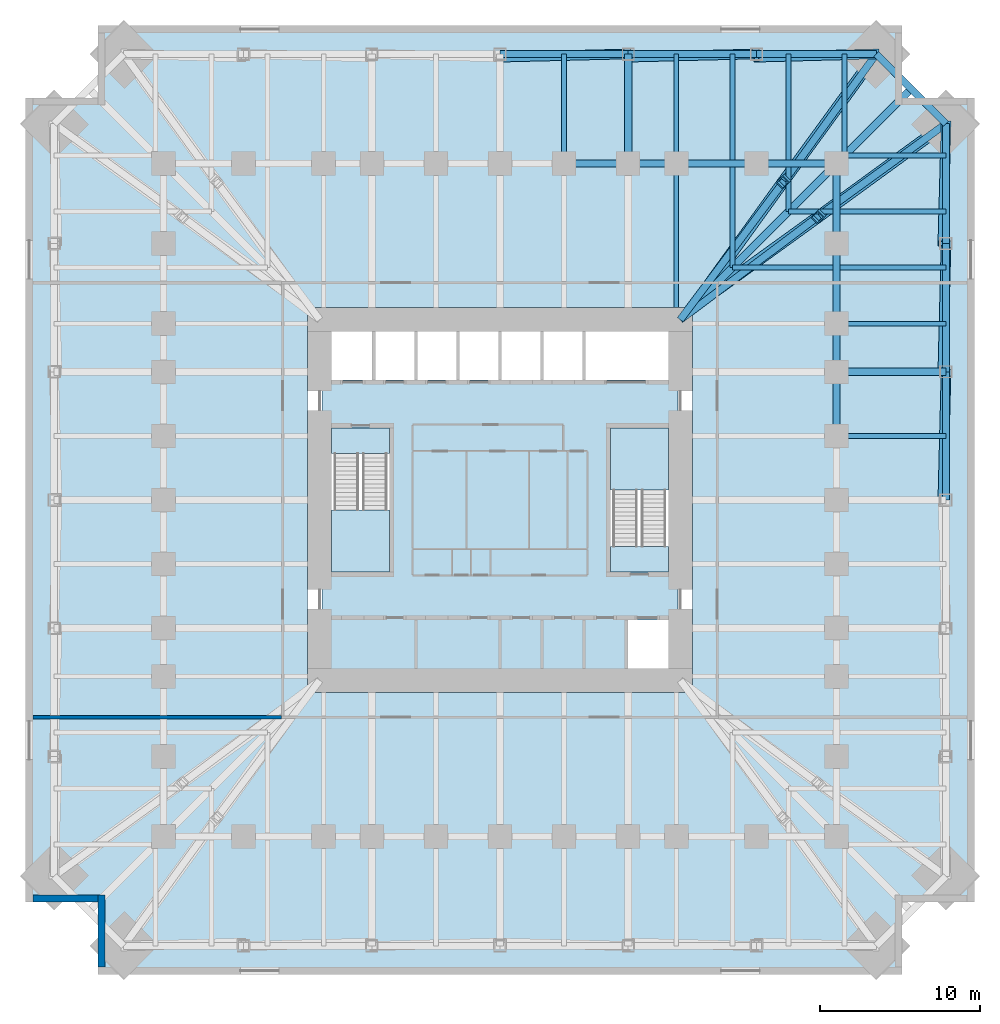
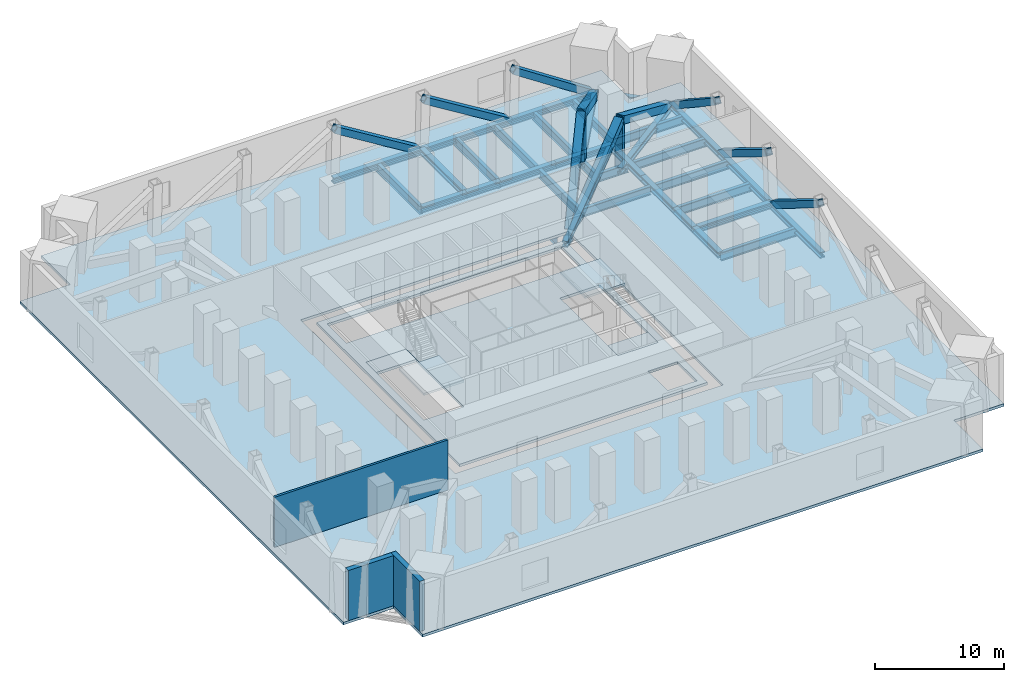
# One storey, part 4 of 9: 28 beams, 22 members, 6 slabs, 3 walls, 2 elements without a shape of their own.
"""IFC4 building model written with IfcOpenShell, lengths in metres."""

from ifc_helpers import new_model, si_unit, direction, frame, frame_2d, origin, origin_2d, place, context, subcontext, project, spatial, polyline, rectangle, hollow_rectangle, i_section, outline, extrude, material, layer, layer_set, material_profile, profile_set, type_object, element, aggregate, save


model = new_model("IFC4")

# Units and contexts
model_context = context("Model", 3, precision=1e-05, world=origin(), true_north=direction((0.0, 1.0)))
body_context = subcontext(model_context, "Body", "Model", "MODEL_VIEW")
ifc_project = project(units=[si_unit("LENGTHUNIT", "METRE"), si_unit("AREAUNIT", "SQUARE_METRE"), si_unit("VOLUMEUNIT", "CUBIC_METRE"), si_unit("PLANEANGLEUNIT", "RADIAN"), si_unit("MASSUNIT", "GRAM", prefix="KILO")], contexts=[model_context])

# Site, building, storey
site_placement = place(None, origin())
site = spatial("IfcSite", under=ifc_project, at=site_placement, CompositionType="ELEMENT")
building_placement = place(site_placement, origin())
building = spatial("IfcBuilding", under=site, at=building_placement, Name="Peilmerk Tower", CompositionType="ELEMENT")
storey_placement = place(building_placement, frame((0.0, 0.0, 76.0)))
storey = spatial("IfcBuildingStorey", under=building, at=storey_placement, Name="L14", CompositionType="ELEMENT", Elevation=76.0)

# Beams
ifc_material_1 = material(Name="Steel S460", Category="steel")
ifc_material_profile_1 = material_profile(ifc_material_1, i_section(OverallWidth=0.4541015625, OverallDepth=0.569091796875, WebThickness=0.077880859375, FlangeThickness=0.125, at=origin_2d()), Name="HD 400x1086")
ifc_profile_set_1 = profile_set([ifc_material_profile_1], Name="Steel S460")
beam_type_1 = type_object("IfcBeamType", Name="B17 HD 400x1086 edge beam", PredefinedType="SPANDREL", material=ifc_profile_set_1)
beam_1_placement = place(storey_placement, frame((23.482177734375, 27.832275390625, -0.534423828125), z_axis=(0.707106781187, -0.707106781187, 0.0), x_axis=(0.707106781187, 0.707106781187, 0.0)))
element("IfcBeam", 1, at=beam_1_placement, inside=storey, type_object=beam_type_1, Name="Notch beam L14", PredefinedType="SPANDREL", context=body_context, shape_type="SweptSolid", body=[
    extrude(i_section(OverallWidth=0.4541015625, OverallDepth=0.569091796875, WebThickness=0.077880859375, FlangeThickness=0.125, at=origin_2d()), origin(), (0.0, 0.0, 1.0), 6.15185546875),
])
ifc_material_profile_2 = material_profile(ifc_material_1, i_section(OverallWidth=0.302978515625, OverallDepth=0.81396484375, WebThickness=0.02099609375, FlangeThickness=0.0400390625, at=origin_2d()), Name="HEM 800")
ifc_profile_set_2 = profile_set([ifc_material_profile_2], Name="Steel S460")
beam_type_2 = type_object("IfcBeamType", Name="B26 HEM 800 floor beam", PredefinedType="BEAM", material=ifc_profile_set_2)
beam_2_placement = place(storey_placement, frame((11.0, 12.0, -0.656982421875), z_axis=(0.0, 1.0, 0.0), x_axis=(-1.0, 0.0, 0.0)))
element("IfcBeam", 2, at=beam_2_placement, inside=storey, type_object=beam_type_2, Name="Floor beam L14", PredefinedType="BEAM", context=body_context, shape_type="SweptSolid", body=[
    extrude(i_section(OverallWidth=0.302978515625, OverallDepth=0.81396484375, WebThickness=0.02099609375, FlangeThickness=0.0400390625, at=origin_2d()), origin(), (0.0, 0.0, 1.0), 9.0),
])
for number, where, z_axis, x_axis, name in (
    (3, (11.0, 21.0, -0.656982421875), (0.0, 1.0, 0.0), (-1.0, 0.0, 0.0), "Floor beam L14"),
    (4, (4.0, 21.0, -0.656982421875), (0.0, 1.0, 0.0), (-1.0, 0.0, 0.0), "Floor beam L14"),
    (5, (21.0, 4.0, -0.656982421875), (1.0, 0.0, 0.0), (0.0, 1.0, 0.0), "Floor beam L14"),
    (6, (21.0, 11.0, -0.656982421875), (1.0, 0.0, 0.0), (0.0, 1.0, 0.0), "Floor beam L14"),
):
    element("IfcBeam", number, at=place(storey_placement, frame(where, z_axis=z_axis, x_axis=x_axis)), inside=storey, type_object=beam_type_2, Name=name, PredefinedType="BEAM", context=body_context, shape_type="SweptSolid", body=[
        extrude(i_section(OverallWidth=0.302978515625, OverallDepth=0.81396484375, WebThickness=0.02099609375, FlangeThickness=0.0400390625, at=origin_2d()), origin(), (0.0, 0.0, 1.0), 6.832275390625),
    ])
beam_3_placement = place(storey_placement, frame((14.5, 14.5, -0.656982421875), z_axis=(0.0, 1.0, 0.0), x_axis=(-1.0, 0.0, 0.0)))
element("IfcBeam", 7, at=beam_3_placement, inside=storey, type_object=beam_type_2, Name="Floor beam L14", PredefinedType="BEAM", context=body_context, shape_type="SweptSolid", body=[
    extrude(i_section(OverallWidth=0.302978515625, OverallDepth=0.81396484375, WebThickness=0.02099609375, FlangeThickness=0.0400390625, at=origin_2d()), origin(), (0.0, 0.0, 1.0), 6.27294921875),
])
beam_4_placement = place(storey_placement, frame((14.5, 21.22705078125, -0.656982421875), z_axis=(0.0, 1.0, 0.0), x_axis=(-1.0, 0.0, 0.0)))
element("IfcBeam", 8, at=beam_4_placement, inside=storey, type_object=beam_type_2, Name="Floor beam L14", PredefinedType="BEAM", context=body_context, shape_type="SweptSolid", body=[
    extrude(i_section(OverallWidth=0.302978515625, OverallDepth=0.81396484375, WebThickness=0.02099609375, FlangeThickness=0.0400390625, at=origin_2d()), origin(), (0.0, 0.0, 1.0), 6.605224609375),
])
beam_5_placement = place(storey_placement, frame((14.5, 14.5, -0.656982421875), z_axis=(1.0, 0.0, 0.0), x_axis=(0.0, 1.0, 0.0)))
element("IfcBeam", 9, at=beam_5_placement, inside=storey, type_object=beam_type_2, Name="Floor beam L14", PredefinedType="BEAM", context=body_context, shape_type="SweptSolid", body=[
    extrude(i_section(OverallWidth=0.302978515625, OverallDepth=0.81396484375, WebThickness=0.02099609375, FlangeThickness=0.0400390625, at=origin_2d()), origin(), (0.0, 0.0, 1.0), 6.27294921875),
])
beam_6_placement = place(storey_placement, frame((21.22705078125, 14.5, -0.656982421875), z_axis=(1.0, 0.0, 0.0), x_axis=(0.0, 1.0, 0.0)))
element("IfcBeam", 10, at=beam_6_placement, inside=storey, type_object=beam_type_2, Name="Floor beam L14", PredefinedType="BEAM", context=body_context, shape_type="SweptSolid", body=[
    extrude(i_section(OverallWidth=0.302978515625, OverallDepth=0.81396484375, WebThickness=0.02099609375, FlangeThickness=0.0400390625, at=origin_2d()), origin(), (0.0, 0.0, 1.0), 6.605224609375),
])
beam_7_placement = place(storey_placement, frame((18.0, 18.0, -0.656982421875), z_axis=(0.0, 1.0, 0.0), x_axis=(-1.0, 0.0, 0.0)))
element("IfcBeam", 11, at=beam_7_placement, inside=storey, type_object=beam_type_2, Name="Floor beam L14", PredefinedType="BEAM", context=body_context, shape_type="SweptSolid", body=[
    extrude(i_section(OverallWidth=0.302978515625, OverallDepth=0.81396484375, WebThickness=0.02099609375, FlangeThickness=0.0400390625, at=origin_2d()), origin(), (0.0, 0.0, 1.0), 2.77294921875),
])
beam_8_placement = place(storey_placement, frame((18.0, 21.22705078125, -0.656982421875), z_axis=(0.0, 1.0, 0.0), x_axis=(-1.0, 0.0, 0.0)))
element("IfcBeam", 12, at=beam_8_placement, inside=storey, type_object=beam_type_2, Name="Floor beam L14", PredefinedType="BEAM", context=body_context, shape_type="SweptSolid", body=[
    extrude(i_section(OverallWidth=0.302978515625, OverallDepth=0.81396484375, WebThickness=0.02099609375, FlangeThickness=0.0400390625, at=origin_2d()), origin(), (0.0, 0.0, 1.0), 6.605224609375),
])
beam_9_placement = place(storey_placement, frame((18.0, 18.0, -0.656982421875), z_axis=(1.0, 0.0, 0.0), x_axis=(0.0, 1.0, 0.0)))
element("IfcBeam", 13, at=beam_9_placement, inside=storey, type_object=beam_type_2, Name="Floor beam L14", PredefinedType="BEAM", context=body_context, shape_type="SweptSolid", body=[
    extrude(i_section(OverallWidth=0.302978515625, OverallDepth=0.81396484375, WebThickness=0.02099609375, FlangeThickness=0.0400390625, at=origin_2d()), origin(), (0.0, 0.0, 1.0), 2.77294921875),
])
beam_10_placement = place(storey_placement, frame((21.22705078125, 18.0, -0.656982421875), z_axis=(1.0, 0.0, 0.0), x_axis=(0.0, 1.0, 0.0)))
element("IfcBeam", 14, at=beam_10_placement, inside=storey, type_object=beam_type_2, Name="Floor beam L14", PredefinedType="BEAM", context=body_context, shape_type="SweptSolid", body=[
    extrude(i_section(OverallWidth=0.302978515625, OverallDepth=0.81396484375, WebThickness=0.02099609375, FlangeThickness=0.0400390625, at=origin_2d()), origin(), (0.0, 0.0, 1.0), 6.605224609375),
])
for number, where, z_axis, x_axis, name in (
    (15, (21.5, 21.5, -0.656982421875), (0.0, 1.0, 0.0), (-1.0, 0.0, 0.0), "Floor beam L14"),
    (16, (21.5, 21.5, -0.656982421875), (1.0, 0.0, 0.0), (0.0, 1.0, 0.0), "Floor beam L14"),
):
    element("IfcBeam", number, at=place(storey_placement, frame(where, z_axis=z_axis, x_axis=x_axis)), inside=storey, type_object=beam_type_2, Name=name, PredefinedType="BEAM", context=body_context, shape_type="SweptSolid", body=[
        extrude(i_section(OverallWidth=0.302978515625, OverallDepth=0.81396484375, WebThickness=0.02099609375, FlangeThickness=0.0400390625, at=origin_2d()), origin(), (0.0, 0.0, 1.0), 6.332275390625),
    ])
ifc_material_profile_3 = material_profile(ifc_material_1, i_section(OverallWidth=0.4541015625, OverallDepth=0.569091796875, WebThickness=0.077880859375, FlangeThickness=0.125, at=origin_2d()), Name="HD 400x1086")
ifc_profile_set_3 = profile_set([ifc_material_profile_3], Name="Steel S460")
beam_type_3 = type_object("IfcBeamType", Name="B9 HD 400x1086 corner girder", PredefinedType="BEAM", material=ifc_profile_set_3)
beam_11_placement = place(storey_placement, frame((8.0, 21.0, -0.534423828125), z_axis=(0.0, 1.0, 0.0), x_axis=(-1.0, 0.0, 0.0)))
element("IfcBeam", 17, at=beam_11_placement, inside=storey, type_object=beam_type_3, Name="Floor girder L14", PredefinedType="BEAM", context=body_context, shape_type="SweptSolid", body=[
    extrude(i_section(OverallWidth=0.4541015625, OverallDepth=0.569091796875, WebThickness=0.077880859375, FlangeThickness=0.125, at=origin_2d()), origin(), (0.0, 0.0, 1.0), 6.832275390625),
])
for number, where, z_axis, x_axis, name in (
    (18, (21.0, 21.0, -0.534423828125), (-1.0, 0.0, 0.0), (0.0, -1.0, 0.0), "Ring girder L14"),
    (19, (16.0, 21.0, -0.534423828125), (-1.0, 0.0, 0.0), (0.0, -1.0, 0.0), "Ring girder L14"),
):
    element("IfcBeam", number, at=place(storey_placement, frame(where, z_axis=z_axis, x_axis=x_axis)), inside=storey, type_object=beam_type_3, Name=name, PredefinedType="BEAM", context=body_context, shape_type="SweptSolid", body=[
        extrude(i_section(OverallWidth=0.4541015625, OverallDepth=0.569091796875, WebThickness=0.077880859375, FlangeThickness=0.125, at=origin_2d()), origin(), (0.0, 0.0, 1.0), 5.0),
    ])
beam_12_placement = place(storey_placement, frame((11.0, 21.0, -0.534423828125), z_axis=(-1.0, 0.0, 0.0), x_axis=(0.0, -1.0, 0.0)))
element("IfcBeam", 20, at=beam_12_placement, inside=storey, type_object=beam_type_3, Name="Ring girder L14", PredefinedType="BEAM", context=body_context, shape_type="SweptSolid", body=[
    extrude(i_section(OverallWidth=0.4541015625, OverallDepth=0.569091796875, WebThickness=0.077880859375, FlangeThickness=0.125, at=origin_2d()), origin(), (0.0, 0.0, 1.0), 3.0),
])
beam_13_placement = place(storey_placement, frame((8.0, 21.0, -0.534423828125), z_axis=(-1.0, 0.0, 0.0), x_axis=(0.0, -1.0, 0.0)))
element("IfcBeam", 21, at=beam_13_placement, inside=storey, type_object=beam_type_3, Name="Ring girder L14", PredefinedType="BEAM", context=body_context, shape_type="SweptSolid", body=[
    extrude(i_section(OverallWidth=0.4541015625, OverallDepth=0.569091796875, WebThickness=0.077880859375, FlangeThickness=0.125, at=origin_2d()), origin(), (0.0, 0.0, 1.0), 4.0),
])
beam_14_placement = place(storey_placement, frame((21.0, 8.0, -0.534423828125), z_axis=(1.0, 0.0, 0.0), x_axis=(0.0, 1.0, 0.0)))
element("IfcBeam", 22, at=beam_14_placement, inside=storey, type_object=beam_type_3, Name="Floor girder L14", PredefinedType="BEAM", context=body_context, shape_type="SweptSolid", body=[
    extrude(i_section(OverallWidth=0.4541015625, OverallDepth=0.569091796875, WebThickness=0.077880859375, FlangeThickness=0.125, at=origin_2d()), origin(), (0.0, 0.0, 1.0), 6.832275390625),
])
beam_15_placement = place(storey_placement, frame((21.0, 4.0, -0.534423828125), z_axis=(0.0, 1.0, 0.0), x_axis=(-1.0, 0.0, 0.0)))
element("IfcBeam", 23, at=beam_15_placement, inside=storey, type_object=beam_type_3, Name="Ring girder L14", PredefinedType="BEAM", context=body_context, shape_type="SweptSolid", body=[
    extrude(i_section(OverallWidth=0.4541015625, OverallDepth=0.569091796875, WebThickness=0.077880859375, FlangeThickness=0.125, at=origin_2d()), origin(), (0.0, 0.0, 1.0), 4.0),
])
beam_16_placement = place(storey_placement, frame((21.0, 8.0, -0.534423828125), z_axis=(0.0, 1.0, 0.0), x_axis=(-1.0, 0.0, 0.0)))
element("IfcBeam", 24, at=beam_16_placement, inside=storey, type_object=beam_type_3, Name="Ring girder L14", PredefinedType="BEAM", context=body_context, shape_type="SweptSolid", body=[
    extrude(i_section(OverallWidth=0.4541015625, OverallDepth=0.569091796875, WebThickness=0.077880859375, FlangeThickness=0.125, at=origin_2d()), origin(), (0.0, 0.0, 1.0), 3.0),
])
for number, where, z_axis, x_axis, name in (
    (25, (21.0, 11.0, -0.534423828125), (0.0, 1.0, 0.0), (-1.0, 0.0, 0.0), "Ring girder L14"),
    (26, (21.0, 16.0, -0.534423828125), (0.0, 1.0, 0.0), (-1.0, 0.0, 0.0), "Ring girder L14"),
):
    element("IfcBeam", number, at=place(storey_placement, frame(where, z_axis=z_axis, x_axis=x_axis)), inside=storey, type_object=beam_type_3, Name=name, PredefinedType="BEAM", context=body_context, shape_type="SweptSolid", body=[
        extrude(i_section(OverallWidth=0.4541015625, OverallDepth=0.569091796875, WebThickness=0.077880859375, FlangeThickness=0.125, at=origin_2d()), origin(), (0.0, 0.0, 1.0), 5.0),
    ])
beam_17_placement = place(storey_placement, frame((11.25, 11.25, -0.534423828125), z_axis=(0.707106781187, 0.707106781187, 0.0), x_axis=(-0.707106781187, 0.707106781187, 0.0)))
element("IfcBeam", 27, at=beam_17_placement, inside=storey, type_object=beam_type_3, Name="Corner girder L14", PredefinedType="BEAM", context=body_context, shape_type="SweptSolid", body=[
    extrude(i_section(OverallWidth=0.4541015625, OverallDepth=0.569091796875, WebThickness=0.077880859375, FlangeThickness=0.125, at=origin_2d()), origin(), (0.0, 0.0, 1.0), 13.78857421875),
])
beam_18_placement = place(storey_placement, frame((21.0, 21.0, -0.534423828125), z_axis=(0.707106781187, 0.707106781187, 0.0), x_axis=(-0.707106781187, 0.707106781187, 0.0)))
element("IfcBeam", 28, at=beam_18_placement, inside=storey, type_object=beam_type_3, Name="Corner girder L14", PredefinedType="BEAM", context=body_context, shape_type="SweptSolid", body=[
    extrude(i_section(OverallWidth=0.4541015625, OverallDepth=0.569091796875, WebThickness=0.077880859375, FlangeThickness=0.125, at=origin_2d()), origin(), (0.0, 0.0, 1.0), 6.58642578125),
])

# Members
ifc_material_profile_4 = material_profile(ifc_material_1, i_section(OverallWidth=0.4541015625, OverallDepth=0.569091796875, WebThickness=0.077880859375, FlangeThickness=0.125, at=origin_2d()), Name="HD 400x1086")
ifc_profile_set_4 = profile_set([ifc_material_profile_4], Name="Steel S460")
member_type_1 = type_object("IfcMemberType", Name="M1 HD 400x1086 belt truss chord", PredefinedType="CHORD", material=ifc_profile_set_4)
member_1_placement = place(storey_placement, frame((23.482177734375, 27.832275390625, -0.534423828125), z_axis=(-1.0, 0.0, 0.0), x_axis=(0.0, -1.0, 0.0)))
element("IfcMember", 29, at=member_1_placement, inside=storey, type_object=member_type_1, Name="Belt truss chord L14", PredefinedType="CHORD", context=body_context, shape_type="SweptSolid", body=[
    extrude(i_section(OverallWidth=0.4541015625, OverallDepth=0.569091796875, WebThickness=0.077880859375, FlangeThickness=0.125, at=origin_2d()), origin(), (0.0, 0.0, 1.0), 7.482177734375),
])
for number, where, z_axis, x_axis, name in (
    (30, (16.0, 27.832275390625, -0.534423828125), (-1.0, 0.0, 0.0), (0.0, -1.0, 0.0), "Belt truss chord L14"),
    (31, (8.0, 27.832275390625, -0.534423828125), (-1.0, 0.0, 0.0), (0.0, -1.0, 0.0), "Belt truss chord L14"),
    (32, (27.832275390625, 0.0, -0.534423828125), (0.0, 1.0, 0.0), (-1.0, 0.0, 0.0), "Belt truss chord L14"),
    (33, (27.832275390625, 8.0, -0.534423828125), (0.0, 1.0, 0.0), (-1.0, 0.0, 0.0), "Belt truss chord L14"),
):
    element("IfcMember", number, at=place(storey_placement, frame(where, z_axis=z_axis, x_axis=x_axis)), inside=storey, type_object=member_type_1, Name=name, PredefinedType="CHORD", context=body_context, shape_type="SweptSolid", body=[
        extrude(i_section(OverallWidth=0.4541015625, OverallDepth=0.569091796875, WebThickness=0.077880859375, FlangeThickness=0.125, at=origin_2d()), origin(), (0.0, 0.0, 1.0), 8.0),
    ])
member_2_placement = place(storey_placement, frame((27.832275390625, 16.0, -0.534423828125), z_axis=(0.0, 1.0, 0.0), x_axis=(-1.0, 0.0, 0.0)))
element("IfcMember", 34, at=member_2_placement, inside=storey, type_object=member_type_1, Name="Belt truss chord L14", PredefinedType="CHORD", context=body_context, shape_type="SweptSolid", body=[
    extrude(i_section(OverallWidth=0.4541015625, OverallDepth=0.569091796875, WebThickness=0.077880859375, FlangeThickness=0.125, at=origin_2d()), origin(), (0.0, 0.0, 1.0), 7.482177734375),
])
member_3_placement = place(storey_placement, frame((11.25, 11.25, -0.534423828125), z_axis=(0.800367834752, 0.599509240207, 0.0), x_axis=(-0.599509240207, 0.800367834752, 0.0)))
element("IfcMember", 35, at=member_3_placement, inside=storey, type_object=member_type_1, Name="Outrigger chord T1 NE", PredefinedType="CHORD", context=body_context, shape_type="SweptSolid", body=[
    extrude(i_section(OverallWidth=0.4541015625, OverallDepth=0.569091796875, WebThickness=0.077880859375, FlangeThickness=0.125, at=origin_2d()), origin(), (0.0, 0.0, 1.0), 10.82763671875),
])
member_4_placement = place(storey_placement, frame((19.916015625, 17.7412109375, -0.534423828125), z_axis=(0.809528868431, 0.587080072202, 0.0), x_axis=(-0.587080072202, 0.809528868431, 0.0)))
element("IfcMember", 36, at=member_4_placement, inside=storey, type_object=member_type_1, Name="Outrigger chord T1 NE", PredefinedType="CHORD", context=body_context, shape_type="SweptSolid", body=[
    extrude(i_section(OverallWidth=0.4541015625, OverallDepth=0.569091796875, WebThickness=0.077880859375, FlangeThickness=0.125, at=origin_2d()), origin(), (0.0, 0.0, 1.0), 9.77880859375),
])
member_5_placement = place(storey_placement, frame((11.25, 11.25, -0.534423828125), z_axis=(0.599509240207, 0.800367834752, 0.0), x_axis=(-0.800367834752, 0.599509240207, 0.0)))
element("IfcMember", 37, at=member_5_placement, inside=storey, type_object=member_type_1, Name="Outrigger chord T1 NE", PredefinedType="CHORD", context=body_context, shape_type="SweptSolid", body=[
    extrude(i_section(OverallWidth=0.4541015625, OverallDepth=0.569091796875, WebThickness=0.077880859375, FlangeThickness=0.125, at=origin_2d()), origin(), (0.0, 0.0, 1.0), 10.82763671875),
])
member_6_placement = place(storey_placement, frame((17.7412109375, 19.916015625, -0.534423828125), z_axis=(0.587080072202, 0.809528868431, 0.0), x_axis=(-0.809528868431, 0.587080072202, 0.0)))
element("IfcMember", 38, at=member_6_placement, inside=storey, type_object=member_type_1, Name="Outrigger chord T1 NE", PredefinedType="CHORD", context=body_context, shape_type="SweptSolid", body=[
    extrude(i_section(OverallWidth=0.4541015625, OverallDepth=0.569091796875, WebThickness=0.077880859375, FlangeThickness=0.125, at=origin_2d()), origin(), (0.0, 0.0, 1.0), 9.77880859375),
])
ifc_material_profile_5 = material_profile(ifc_material_1, hollow_rectangle(XDim=0.60009765625, YDim=0.60009765625, WallThickness=0.06005859375, at=origin_2d()), Name="BOX 600x600x60")
ifc_profile_set_5 = profile_set([ifc_material_profile_5], Name="Steel S460")
member_type_2 = type_object("IfcMemberType", Name="M2 BOX 600x600x60 belt truss diagonal", PredefinedType="BRACE", material=ifc_profile_set_5)
member_7_placement = place(storey_placement, frame((23.482177734375, 27.832275390625, -0.534423828125), z_axis=(-0.831231738484, -0.02240341358, 0.555474467457), x_axis=(0.026942283238, -0.999636990799, 0.0)))
element("IfcMember", 39, at=member_7_placement, inside=storey, type_object=member_type_2, Name="Belt truss diagonal T1 N", PredefinedType="BRACE", context=body_context, shape_type="SweptSolid", body=[
    extrude(hollow_rectangle(XDim=0.60009765625, YDim=0.60009765625, WallThickness=0.06005859375, at=origin_2d()), origin(), (0.0, 0.0, 1.0), 9.001220703125),
])
for number, where, z_axis, x_axis, name in (
    (40, (16.0, 27.832275390625, -0.534423828125), (-0.847804632209, -0.021371051825, 0.529877895131), (0.025199514677, -0.999682441808, 0.0), "Belt truss diagonal T1 N"),
    (41, (8.0, 27.832275390625, -0.534423828125), (-0.847804632209, -0.021371051825, 0.529877895131), (0.025199514677, -0.999682441808, 0.0), "Belt truss diagonal T1 N"),
    (42, (27.832275390625, 8.0, -0.534423828125), (-0.021371051825, -0.847804632209, 0.529877895131), (0.999682441808, -0.025199514677, 0.0), "Belt truss diagonal T1 E"),
    (43, (27.832275390625, 16.0, -0.534423828125), (-0.021371051825, -0.847804632209, 0.529877895131), (0.999682441808, -0.025199514677, 0.0), "Belt truss diagonal T1 E"),
):
    element("IfcMember", number, at=place(storey_placement, frame(where, z_axis=z_axis, x_axis=x_axis)), inside=storey, type_object=member_type_2, Name=name, PredefinedType="BRACE", context=body_context, shape_type="SweptSolid", body=[
        extrude(hollow_rectangle(XDim=0.60009765625, YDim=0.60009765625, WallThickness=0.06005859375, at=origin_2d()), origin(), (0.0, 0.0, 1.0), 9.43603515625),
    ])
member_8_placement = place(storey_placement, frame((27.832275390625, 23.482177734375, -0.534423828125), z_axis=(-0.02240341358, -0.831231738484, 0.555474467457), x_axis=(0.999636990799, -0.026942283238, 0.0)))
element("IfcMember", 44, at=member_8_placement, inside=storey, type_object=member_type_2, Name="Belt truss diagonal T1 E", PredefinedType="BRACE", context=body_context, shape_type="SweptSolid", body=[
    extrude(hollow_rectangle(XDim=0.60009765625, YDim=0.60009765625, WallThickness=0.06005859375, at=origin_2d()), origin(), (0.0, 0.0, 1.0), 9.001220703125),
])
ifc_material_profile_6 = material_profile(ifc_material_1, hollow_rectangle(XDim=0.60009765625, YDim=0.60009765625, WallThickness=0.06005859375, at=origin_2d()), Name="BOX 600x600x60")
ifc_profile_set_6 = profile_set([ifc_material_profile_6], Name="Steel S460")
member_type_3 = type_object("IfcMemberType", Name="M3 BOX 600x600x60 outrigger post", PredefinedType="POST", material=ifc_profile_set_6)
for number, where, z_axis, x_axis, name in (
    (45, (19.916015625, 17.7412109375, -0.534423828125), (-0.020109031228, -0.020157839556, 0.999594561994), (0.707963360232, -0.706249163234, 0.0), "Outrigger post T1 NE"),
    (46, (17.7412109375, 19.916015625, -0.534423828125), (-0.020157839556, -0.020109031228, 0.999594561994), (0.706249163234, -0.707963360232, 0.0), "Outrigger post T1 NE"),
):
    element("IfcMember", number, at=place(storey_placement, frame(where, z_axis=z_axis, x_axis=x_axis)), inside=storey, type_object=member_type_3, Name=name, PredefinedType="POST", context=body_context, shape_type="SweptSolid", body=[
        extrude(hollow_rectangle(XDim=0.60009765625, YDim=0.60009765625, WallThickness=0.06005859375, at=origin_2d()), origin(), (0.0, 0.0, 1.0), 5.001953125),
    ])
ifc_material_profile_7 = material_profile(ifc_material_1, hollow_rectangle(XDim=0.699951171875, YDim=0.699951171875, WallThickness=0.080078125, at=origin_2d()), Name="BOX 700x700x80")
ifc_profile_set_7 = profile_set([ifc_material_profile_7], Name="Steel S460")
member_type_4 = type_object("IfcMemberType", Name="M4 BOX 700x700x80 outrigger diagonal", PredefinedType="BRACE", material=ifc_profile_set_7)
member_9_placement = place(storey_placement, frame((12.0, 12.0, -0.534423828125), z_axis=(0.719789432424, 0.519470675287, 0.460492552044), x_axis=(-0.585211215329, 0.810880899672, 0.0)))
element("IfcMember", 47, at=member_9_placement, inside=storey, type_object=member_type_4, Name="Outrigger diagonal T1", PredefinedType="BRACE", context=body_context, shape_type="SweptSolid", body=[
    extrude(hollow_rectangle(XDim=0.699951171875, YDim=0.699951171875, WallThickness=0.080078125, at=origin_2d()), origin(), (0.0, 0.0, 1.0), 10.85791015625),
])
member_10_placement = place(storey_placement, frame((27.832275390625, 23.482177734375, -0.534423828125), z_axis=(-0.721692629626, -0.52589034448, 0.450110090896), x_axis=(0.588920720434, -0.808190809799, 0.0)))
element("IfcMember", 48, at=member_10_placement, inside=storey, type_object=member_type_4, Name="Outrigger diagonal T1", PredefinedType="BRACE", context=body_context, shape_type="SweptSolid", body=[
    extrude(hollow_rectangle(XDim=0.699951171875, YDim=0.699951171875, WallThickness=0.080078125, at=origin_2d()), origin(), (0.0, 0.0, 1.0), 11.1083984375),
])
member_11_placement = place(storey_placement, frame((12.0, 12.0, -0.534423828125), z_axis=(0.519470675287, 0.719789432424, 0.460492552044), x_axis=(-0.810880899672, 0.585211215329, 0.0)))
element("IfcMember", 49, at=member_11_placement, inside=storey, type_object=member_type_4, Name="Outrigger diagonal T1", PredefinedType="BRACE", context=body_context, shape_type="SweptSolid", body=[
    extrude(hollow_rectangle(XDim=0.699951171875, YDim=0.699951171875, WallThickness=0.080078125, at=origin_2d()), origin(), (0.0, 0.0, 1.0), 10.85791015625),
])
member_12_placement = place(storey_placement, frame((23.482177734375, 27.832275390625, -0.534423828125), z_axis=(-0.52589034448, -0.721692629626, 0.450110090896), x_axis=(0.808190809799, -0.588920720434, 0.0)))
element("IfcMember", 50, at=member_12_placement, inside=storey, type_object=member_type_4, Name="Outrigger diagonal T1", PredefinedType="BRACE", context=body_context, shape_type="SweptSolid", body=[
    extrude(hollow_rectangle(XDim=0.699951171875, YDim=0.699951171875, WallThickness=0.080078125, at=origin_2d()), origin(), (0.0, 0.0, 1.0), 11.1083984375),
])

# Slabs
ifc_material_2 = material(Name="Concrete C55/67", Category="concrete")
ifc_layer_1 = layer(ifc_material_2, 0.25)
ifc_layer_set_1 = layer_set([ifc_layer_1], Name="Concrete C55/67")
slab_type_1 = type_object("IfcSlabType", Name="CS250 250 core floor slab", PredefinedType="FLOOR", material=ifc_layer_set_1)
slab_1_placement = place(storey_placement, frame((0.0, 0.0, -0.25)))
element("IfcSlab", 51, at=slab_1_placement, inside=storey, type_object=slab_type_1, Name="Core slab L14", PredefinedType="FLOOR", context=body_context, shape_type="SweptSolid", body=[
    extrude(outline(polyline([(-11.10009765625, 11.10009765625), (-11.10009765625, -11.10009765625), (11.10009765625, -11.10009765625), (11.10009765625, 11.10009765625), (-11.10009765625, 11.10009765625)]), holes=[polyline([(10.5, 7.5), (-10.5, 7.5), (-10.5, 10.5), (10.5, 10.5), (10.5, 7.5)]), polyline([(7.875, -10.5), (7.875, -7.5), (10.5, -7.5), (10.5, -10.5), (7.875, -10.5)]), polyline([(-10.5, 4.5), (-6.89990234375, 4.5), (-6.89990234375, -4.5), (-10.5, -4.5), (-10.5, 4.5)]), polyline([(10.5, 4.5), (10.5, -4.5), (6.89990234375, -4.5), (6.89990234375, 4.5), (10.5, 4.5)])]), origin(), (0.0, 0.0, 1.0), 0.25),
])
ifc_material_3 = material(Name="Concrete C35/45", Category="concrete")
ifc_layer_2 = layer(ifc_material_3, 0.25)
ifc_layer_set_2 = layer_set([ifc_layer_2], Name="Concrete C35/45")
slab_type_2 = type_object("IfcSlabType", Name="FS250 250 composite floor slab", PredefinedType="FLOOR", material=ifc_layer_set_2)
slab_2_placement = place(storey_placement, frame((0.0, 0.0, -0.25)))
element("IfcSlab", 52, at=slab_2_placement, inside=storey, type_object=slab_type_2, Name="Floor slab L14", PredefinedType="FLOOR", context=body_context, shape_type="SweptSolid", body=[
    extrude(outline(polyline([(-25.10009765625, -29.60009765625), (25.10009765625, -29.60009765625), (25.10009765625, -25.10009765625), (29.60009765625, -25.10009765625), (29.60009765625, 25.10009765625), (25.10009765625, 25.10009765625), (25.10009765625, 29.60009765625), (-25.10009765625, 29.60009765625), (-25.10009765625, 25.10009765625), (-29.60009765625, 25.10009765625), (-29.60009765625, -25.10009765625), (-25.10009765625, -25.10009765625), (-25.10009765625, -29.60009765625)]), holes=[polyline([(12.0, 12.0), (12.0, -12.0), (-12.0, -12.0), (-12.0, 12.0), (12.0, 12.0)])]), origin(), (0.0, 0.0, 1.0), 0.25),
])

# Stair, slab
ifc_material_4 = material(Name="Precast concrete C45/55", Category="concrete")
stair_type_1 = type_object("IfcStairType", Name="ST1 28 risers of 178.6", PredefinedType="HALF_TURN_STAIR", material=ifc_material_4)
stair_1_placement = place(storey_placement, origin())
stair_1 = element("IfcStair", 53, at=stair_1_placement, inside=storey, type_object=stair_type_1, Name="Stair 1 L14 to L15", PredefinedType="HALF_TURN_STAIR")
ifc_layer_3 = layer(ifc_material_3, 0.199951171875)
ifc_layer_set_3 = layer_set([ifc_layer_3], Name="Concrete C35/45")
slab_type_3 = type_object("IfcSlabType", Name="SL1 200 concrete stair landing", PredefinedType="LANDING", material=ifc_layer_set_3)
slab_3_placement = place(storey_placement, frame((0.0, 0.0, 2.300048828125)))
slab_3 = element("IfcSlab", 54, at=slab_3_placement, type_object=slab_type_3, Name="ST1 landing 1", PredefinedType="LANDING", context=body_context, shape_type="SweptSolid", body=[
    extrude(outline(polyline([(-10.5, -4.5), (-6.89990234375, -4.5), (-6.89990234375, -0.610107421875), (-10.5, -0.610107421875), (-10.5, -4.5)])), origin(), (0.0, 0.0, 1.0), 0.199951171875),
])

stair_type_2 = type_object("IfcStairType", Name="ST2 28 risers of 178.6", PredefinedType="HALF_TURN_STAIR", material=ifc_material_4)
stair_2_placement = place(storey_placement, origin())
stair_2 = element("IfcStair", 55, at=stair_2_placement, inside=storey, type_object=stair_type_2, Name="Stair 2 L14 to L15", PredefinedType="HALF_TURN_STAIR")
slab_4_placement = place(storey_placement, frame((0.0, 0.0, 2.300048828125)))
slab_4 = element("IfcSlab", 56, at=slab_4_placement, type_object=slab_type_3, Name="ST2 landing 1", PredefinedType="LANDING", context=body_context, shape_type="SweptSolid", body=[
    extrude(outline(polyline([(6.89990234375, 0.610107421875), (10.5, 0.610107421875), (10.5, 4.5), (6.89990234375, 4.5), (6.89990234375, 0.610107421875)])), origin(), (0.0, 0.0, 1.0), 0.199951171875),
])

# Slab
ifc_layer_4 = layer(ifc_material_3, 0.25)
ifc_layer_set_4 = layer_set([ifc_layer_4], Name="Concrete C35/45")
slab_type_4 = type_object("IfcSlabType", Name="SL2 250 concrete floor landing", PredefinedType="LANDING", material=ifc_layer_set_4)
slab_5_placement = place(storey_placement, frame((0.0, 0.0, -0.25)))
slab_5 = element("IfcSlab", 57, at=slab_5_placement, type_object=slab_type_4, Name="ST1 floor landing", PredefinedType="LANDING", context=body_context, shape_type="SweptSolid", body=[
    extrude(outline(polyline([(-10.5, 2.89990234375), (-6.89990234375, 2.89990234375), (-6.89990234375, 4.5), (-10.5, 4.5), (-10.5, 2.89990234375)])), origin(), (0.0, 0.0, 1.0), 0.25),
])

aggregate(stair_1, [slab_3, slab_5])

slab_6_placement = place(storey_placement, frame((0.0, 0.0, -0.25)))
slab_6 = element("IfcSlab", 58, at=slab_6_placement, type_object=slab_type_4, Name="ST2 floor landing", PredefinedType="LANDING", context=body_context, shape_type="SweptSolid", body=[
    extrude(outline(polyline([(6.89990234375, -4.5), (10.5, -4.5), (10.5, -2.89990234375), (6.89990234375, -2.89990234375), (6.89990234375, -4.5)])), origin(), (0.0, 0.0, 1.0), 0.25),
])

aggregate(stair_2, [slab_4, slab_6])

# Walls
ifc_material_5 = material(Name="Precast concrete C45/55, board-marked finish", Category="concrete")
ifc_layer_5 = layer(ifc_material_5, 0.449951171875)
ifc_layer_set_5 = layer_set([ifc_layer_5], Name="Precast concrete C45/55, board-marked finish")
wall_type_1 = type_object("IfcWallType", Name="EW1 450 precast concrete facade wall, board-marked", PredefinedType="SOLIDWALL", material=ifc_layer_set_5)
wall_1_placement = place(storey_placement, frame((-24.875, -24.64990234375, 0.0), z_axis=(0.0, 0.0, 1.0), x_axis=(0.0, -1.0, 0.0)))
element("IfcWall", 59, at=wall_1_placement, inside=storey, type_object=wall_type_1, Name="Facade wall SWA L14", PredefinedType="SOLIDWALL", context=body_context, shape_type="SweptSolid", body=[
    extrude(rectangle(XDim=4.5, YDim=0.449951171875, at=frame_2d((2.25, 0.0))), origin(), (0.0, 0.0, 1.0), 4.75),
])
wall_2_placement = place(storey_placement, frame((-25.10009765625, -24.875, 0.0), z_axis=(0.0, 0.0, 1.0), x_axis=(-1.0, 0.0, 0.0)))
element("IfcWall", 60, at=wall_2_placement, inside=storey, type_object=wall_type_1, Name="Facade wall SWB L14", PredefinedType="SOLIDWALL", context=body_context, shape_type="SweptSolid", body=[
    extrude(rectangle(XDim=4.0498046875, YDim=0.449951171875, at=frame_2d((2.02490234375, 0.0))), origin(), (0.0, 0.0, 1.0), 4.75),
])
ifc_material_6 = material(Name="Calcium silicate block", Category="masonry")
ifc_layer_6 = layer(ifc_material_6, 0.199951171875)
ifc_layer_set_6 = layer_set([ifc_layer_6], Name="Calcium silicate block")
wall_type_2 = type_object("IfcWallType", Name="IW2 200 room separating wall, EI 120", PredefinedType="PARTITIONING", material=ifc_layer_set_6)
wall_3_placement = place(storey_placement, frame((-13.625, -13.550048828125, 0.0), z_axis=(0.0, 0.0, 1.0), x_axis=(-1.0, 0.0, 0.0)))
element("IfcWall", 61, at=wall_3_placement, inside=storey, type_object=wall_type_2, Name="Room separating wall SW L14", PredefinedType="PARTITIONING", context=body_context, shape_type="SweptSolid", body=[
    extrude(rectangle(XDim=15.52490234375, YDim=0.199951171875, at=frame_2d((7.762451171875, 0.0))), origin(), (0.0, 0.0, 1.0), 4.75),
])

save(model, "model.ifc")
